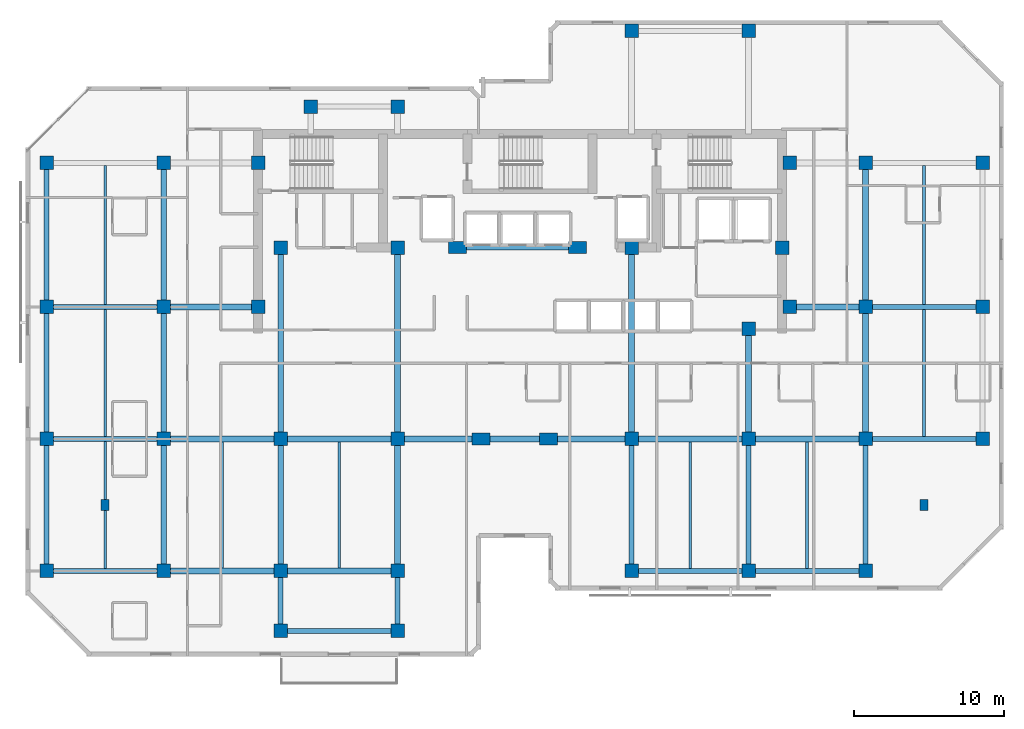
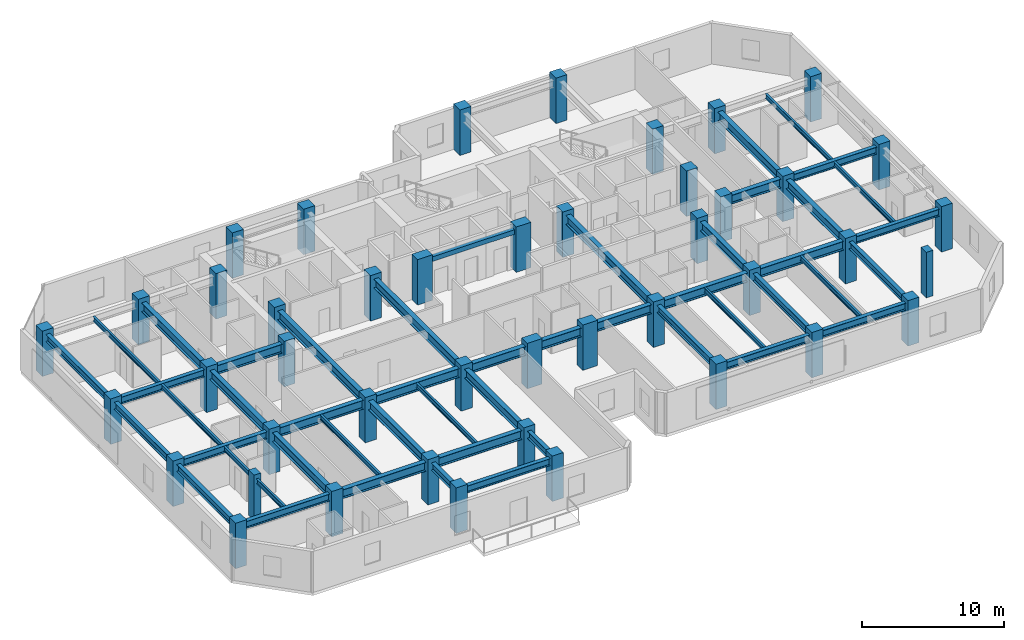
# One storey, part 1 of 10: 48 beams, 44 columns.
"""IFC4 building model written with IfcOpenShell, lengths in metres."""

from ifc_helpers import new_model, si_unit, direction, frame, origin, origin_2d, place, context, subcontext, project, spatial, rectangle, i_section, extrude, material, material_profile, profile_set, type_object, element, save


model = new_model("IFC4")

# Units and contexts
model_context = context("Model", 3, precision=1e-05, world=origin(), true_north=direction((0.0, 1.0)))
body_context = subcontext(model_context, "Body", "Model", "MODEL_VIEW")
ifc_project = project(units=[si_unit("LENGTHUNIT", "METRE"), si_unit("AREAUNIT", "SQUARE_METRE"), si_unit("VOLUMEUNIT", "CUBIC_METRE"), si_unit("PLANEANGLEUNIT", "RADIAN"), si_unit("MASSUNIT", "GRAM", prefix="KILO")], contexts=[model_context])

# Site, building, storey
site_placement = place(None, origin())
site = spatial("IfcSite", under=ifc_project, at=site_placement, CompositionType="ELEMENT")
building_placement = place(site_placement, origin())
building = spatial("IfcBuilding", under=site, at=building_placement, Name="Kestravale Grand Hotel", CompositionType="ELEMENT")
storey_placement = place(building_placement, frame((0.0, 0.0, 236.5)))
storey = spatial("IfcBuildingStorey", under=building, at=storey_placement, Name="L59", CompositionType="ELEMENT", Elevation=236.5)

# Columns
ifc_material_1 = material(Name="Concrete f'c 60 MPa", Category="concrete")
ifc_material_profile_1 = material_profile(ifc_material_1, rectangle(XDim=1.199951171875, YDim=0.800048828125, at=origin_2d()))
ifc_profile_set_1 = profile_set([ifc_material_profile_1], Name="Concrete f'c 60 MPa")
column_type_1 = type_object("IfcColumnType", Name="C-Z3-1200X800", PredefinedType="COLUMN", material=ifc_profile_set_1)
for number, where, z_axis, x_axis, name in (
    (1, (36.75, 20.0, 0.0), (0.0, 0.0, 1.0), (1.0, 0.0, 0.0), "L59 column 6-D"),
    (2, (41.25, 20.0, 0.0), (0.0, 0.0, 1.0), (1.0, 0.0, 0.0), "L59 column 7-D"),
    (3, (35.199951171875, 32.75, 0.0), (0.0, 0.0, 1.0), (1.0, 0.0, 0.0), "L59 column 6C-CS"),
    (4, (43.199951171875, 32.75, 0.0), (0.0, 0.0, 1.0), (1.0, 0.0, 0.0), "L59 column 7C-CS"),
):
    element("IfcColumn", number, at=place(storey_placement, frame(where, z_axis=z_axis, x_axis=x_axis)), inside=storey, type_object=column_type_1, Name=name, PredefinedType="COLUMN", context=body_context, shape_type="SweptSolid", body=[
        extrude(rectangle(XDim=1.199951171875, YDim=0.800048828125, at=origin_2d()), origin(), (0.0, 0.0, 1.0), 3.89990234375),
    ])
ifc_material_2 = material(Name="Precast concrete f'c 45 MPa", Category="concrete")
ifc_material_profile_2 = material_profile(ifc_material_2, rectangle(XDim=0.550048828125, YDim=0.75, at=origin_2d()))
ifc_profile_set_2 = profile_set([ifc_material_profile_2], Name="Precast concrete f'c 45 MPa")
column_type_2 = type_object("IfcColumnType", Name="C-Z3-PIL750", PredefinedType="PILASTER", material=ifc_profile_set_2)
for number, where, z_axis, x_axis, name in (
    (5, (11.699951171875, 15.60009765625, 0.0), (0.0, 0.0, 1.0), (1.0, 0.0, 0.0), "L59 Art Deco fluted pilaster P1"),
    (6, (66.300048828125, 15.60009765625, 0.0), (0.0, 0.0, 1.0), (1.0, 0.0, 0.0), "L59 Art Deco fluted pilaster P2"),
):
    element("IfcColumn", number, at=place(storey_placement, frame(where, z_axis=z_axis, x_axis=x_axis)), inside=storey, type_object=column_type_2, Name=name, PredefinedType="PILASTER", context=body_context, shape_type="SweptSolid", body=[
        extrude(rectangle(XDim=0.550048828125, YDim=0.75, at=origin_2d()), origin(), (0.0, 0.0, 1.0), 3.89990234375),
    ])
ifc_material_3 = material(Name="Concrete f'c 50 MPa", Category="concrete")
ifc_material_profile_3 = material_profile(ifc_material_3, rectangle(XDim=0.89990234375, YDim=0.89990234375, at=origin_2d()))
ifc_profile_set_3 = profile_set([ifc_material_profile_3], Name="Concrete f'c 50 MPa")
column_type_3 = type_object("IfcColumnType", Name="C-Z4-900", PredefinedType="COLUMN", material=ifc_profile_set_3)
for number, where, z_axis, x_axis, name in (
    (7, (7.800048828125, 11.199951171875, 0.0), (0.0, 0.0, 1.0), (1.0, 0.0, 0.0), "L59 column 2-C"),
    (8, (7.800048828125, 20.0, 0.0), (0.0, 0.0, 1.0), (1.0, 0.0, 0.0), "L59 column 2-D"),
    (9, (7.800048828125, 28.800048828125, 0.0), (0.0, 0.0, 1.0), (1.0, 0.0, 0.0), "L59 column 2-E"),
    (10, (7.800048828125, 38.39990234375, 0.0), (0.0, 0.0, 1.0), (1.0, 0.0, 0.0), "L59 column 2-F"),
    (11, (15.60009765625, 11.199951171875, 0.0), (0.0, 0.0, 1.0), (1.0, 0.0, 0.0), "L59 column 3-C"),
    (12, (15.60009765625, 20.0, 0.0), (0.0, 0.0, 1.0), (1.0, 0.0, 0.0), "L59 column 3-D"),
    (13, (15.60009765625, 28.800048828125, 0.0), (0.0, 0.0, 1.0), (1.0, 0.0, 0.0), "L59 column 3-E"),
    (14, (15.60009765625, 38.39990234375, 0.0), (0.0, 0.0, 1.0), (1.0, 0.0, 0.0), "L59 column 3-F"),
    (15, (23.39990234375, 11.199951171875, 0.0), (0.0, 0.0, 1.0), (1.0, 0.0, 0.0), "L59 column 4-C"),
    (16, (23.39990234375, 20.0, 0.0), (0.0, 0.0, 1.0), (1.0, 0.0, 0.0), "L59 column 4-D"),
    (17, (31.199951171875, 11.199951171875, 0.0), (0.0, 0.0, 1.0), (1.0, 0.0, 0.0), "L59 column 5-C"),
    (18, (31.199951171875, 20.0, 0.0), (0.0, 0.0, 1.0), (1.0, 0.0, 0.0), "L59 column 5-D"),
    (19, (46.800048828125, 11.199951171875, 0.0), (0.0, 0.0, 1.0), (1.0, 0.0, 0.0), "L59 column 8-C"),
    (20, (46.800048828125, 20.0, 0.0), (0.0, 0.0, 1.0), (1.0, 0.0, 0.0), "L59 column 8-D"),
    (21, (46.800048828125, 47.199951171875, 0.0), (0.0, 0.0, 1.0), (1.0, 0.0, 0.0), "L59 column 8-G"),
    (22, (54.60009765625, 11.199951171875, 0.0), (0.0, 0.0, 1.0), (1.0, 0.0, 0.0), "L59 column 9-C"),
    (23, (54.60009765625, 20.0, 0.0), (0.0, 0.0, 1.0), (1.0, 0.0, 0.0), "L59 column 9-D"),
    (24, (54.60009765625, 47.199951171875, 0.0), (0.0, 0.0, 1.0), (1.0, 0.0, 0.0), "L59 column 9-G"),
    (25, (62.39990234375, 11.199951171875, 0.0), (0.0, 0.0, 1.0), (1.0, 0.0, 0.0), "L59 column 10-C"),
    (26, (62.39990234375, 20.0, 0.0), (0.0, 0.0, 1.0), (1.0, 0.0, 0.0), "L59 column 10-D"),
    (27, (62.39990234375, 28.800048828125, 0.0), (0.0, 0.0, 1.0), (1.0, 0.0, 0.0), "L59 column 10-E"),
    (28, (62.39990234375, 38.39990234375, 0.0), (0.0, 0.0, 1.0), (1.0, 0.0, 0.0), "L59 column 10-F"),
    (29, (70.199951171875, 20.0, 0.0), (0.0, 0.0, 1.0), (1.0, 0.0, 0.0), "L59 column 11-D"),
    (30, (70.199951171875, 28.800048828125, 0.0), (0.0, 0.0, 1.0), (1.0, 0.0, 0.0), "L59 column 11-E"),
    (31, (70.199951171875, 38.39990234375, 0.0), (0.0, 0.0, 1.0), (1.0, 0.0, 0.0), "L59 column 11-F"),
    (32, (21.89990234375, 28.800048828125, 0.0), (0.0, 0.0, 1.0), (1.0, 0.0, 0.0), "L59 column CW-E"),
    (33, (21.89990234375, 38.39990234375, 0.0), (0.0, 0.0, 1.0), (1.0, 0.0, 0.0), "L59 column CW-F"),
    (34, (57.35009765625, 28.800048828125, 0.0), (0.0, 0.0, 1.0), (1.0, 0.0, 0.0), "L59 column CE-E"),
    (35, (57.35009765625, 38.39990234375, 0.0), (0.0, 0.0, 1.0), (1.0, 0.0, 0.0), "L59 column CE-F"),
    (36, (23.39990234375, 32.75, 0.0), (0.0, 0.0, 1.0), (1.0, 0.0, 0.0), "L59 column 4-CS"),
    (37, (31.199951171875, 32.75, 0.0), (0.0, 0.0, 1.0), (1.0, 0.0, 0.0), "L59 column 5-CS"),
    (38, (46.800048828125, 32.75, 0.0), (0.0, 0.0, 1.0), (1.0, 0.0, 0.0), "L59 column 8-CS"),
    (39, (54.60009765625, 27.35009765625, 0.0), (0.0, 0.0, 1.0), (1.0, 0.0, 0.0), "L59 column 9-CS"),
    (40, (56.85009765625, 32.75, 0.0), (0.0, 0.0, 1.0), (1.0, 0.0, 0.0), "L59 column 9C-CS"),
    (41, (23.39990234375, 7.199951171875, 0.0), (0.0, 0.0, 1.0), (1.0, 0.0, 0.0), "L59 column 4-BS"),
    (42, (31.199951171875, 7.199951171875, 0.0), (0.0, 0.0, 1.0), (1.0, 0.0, 0.0), "L59 column 5-BS"),
    (43, (25.39990234375, 42.14990234375, 0.0), (0.0, 0.0, 1.0), (1.0, 0.0, 0.0), "L59 column 4-FN"),
    (44, (31.199951171875, 42.14990234375, 0.0), (0.0, 0.0, 1.0), (1.0, 0.0, 0.0), "L59 column 5-FN"),
):
    element("IfcColumn", number, at=place(storey_placement, frame(where, z_axis=z_axis, x_axis=x_axis)), inside=storey, type_object=column_type_3, Name=name, PredefinedType="COLUMN", context=body_context, shape_type="SweptSolid", body=[
        extrude(rectangle(XDim=0.89990234375, YDim=0.89990234375, at=origin_2d()), origin(), (0.0, 0.0, 1.0), 3.89990234375),
    ])

# Beams
ifc_material_4 = material(Name="Steel ASTM A992 Grade 50", Category="steel")
ifc_material_profile_4 = material_profile(ifc_material_4, i_section(OverallWidth=0.177978515625, OverallDepth=0.404052734375, WebThickness=0.007568359375, FlangeThickness=0.010986328125, FilletRadius=0.01416015625, at=origin_2d()))
ifc_profile_set_4 = profile_set([ifc_material_profile_4], Name="Steel ASTM A992 Grade 50")
beam_type_1 = type_object("IfcBeamType", Name="B-FLR-JST16", PredefinedType="JOIST", material=ifc_profile_set_4)
for number, where, z_axis, x_axis, name in (
    (45, (11.699951171875, 11.362548828125, 3.318115234375), (0.0, 1.0, 0.0), (-1.0, 0.0, 0.0), "L59 floor joist 2-3/C-D #1"),
    (46, (11.699951171875, 20.16259765625, 3.318115234375), (0.0, 1.0, 0.0), (-1.0, 0.0, 0.0), "L59 floor joist 2-3/D-E #1"),
):
    element("IfcBeam", number, at=place(storey_placement, frame(where, z_axis=z_axis, x_axis=x_axis)), inside=storey, type_object=beam_type_1, Name=name, PredefinedType="JOIST", context=body_context, shape_type="SweptSolid", body=[
        extrude(i_section(OverallWidth=0.177978515625, OverallDepth=0.404052734375, WebThickness=0.007568359375, FlangeThickness=0.010986328125, FilletRadius=0.01416015625, at=origin_2d()), origin(), (0.0, 0.0, 1.0), 8.474853515625),
    ])
beam_1_placement = place(storey_placement, frame((11.699951171875, 28.96240234375, 3.318115234375), z_axis=(0.0, 1.0, 0.0), x_axis=(-1.0, 0.0, 0.0)))
element("IfcBeam", 47, at=beam_1_placement, inside=storey, type_object=beam_type_1, Name="L59 floor joist 2-3/E-F #1", PredefinedType="JOIST", context=body_context, shape_type="SweptSolid", body=[
    extrude(i_section(OverallWidth=0.177978515625, OverallDepth=0.404052734375, WebThickness=0.007568359375, FlangeThickness=0.010986328125, FilletRadius=0.01416015625, at=origin_2d()), origin(), (0.0, 0.0, 1.0), 9.275146484375),
])
for number, where, z_axis, x_axis, name in (
    (48, (19.5, 11.390380859375, 3.318115234375), (0.0, 1.0, 0.0), (-1.0, 0.0, 0.0), "L59 floor joist 3-4/C-D #1"),
    (49, (27.300048828125, 11.390380859375, 3.318115234375), (0.0, 1.0, 0.0), (-1.0, 0.0, 0.0), "L59 floor joist 4-5/C-D #1"),
):
    element("IfcBeam", number, at=place(storey_placement, frame(where, z_axis=z_axis, x_axis=x_axis)), inside=storey, type_object=beam_type_1, Name=name, PredefinedType="JOIST", context=body_context, shape_type="SweptSolid", body=[
        extrude(i_section(OverallWidth=0.177978515625, OverallDepth=0.404052734375, WebThickness=0.007568359375, FlangeThickness=0.010986328125, FilletRadius=0.01416015625, at=origin_2d()), origin(), (0.0, 0.0, 1.0), 8.419189453125),
    ])
for number, where, z_axis, x_axis, name in (
    (50, (50.699951171875, 11.362548828125, 3.318115234375), (0.0, 1.0, 0.0), (-1.0, 0.0, 0.0), "L59 floor joist 8-9/C-D #1"),
    (51, (58.5, 11.362548828125, 3.318115234375), (0.0, 1.0, 0.0), (-1.0, 0.0, 0.0), "L59 floor joist 9-10/C-D #1"),
):
    element("IfcBeam", number, at=place(storey_placement, frame(where, z_axis=z_axis, x_axis=x_axis)), inside=storey, type_object=beam_type_1, Name=name, PredefinedType="JOIST", context=body_context, shape_type="SweptSolid", body=[
        extrude(i_section(OverallWidth=0.177978515625, OverallDepth=0.404052734375, WebThickness=0.007568359375, FlangeThickness=0.010986328125, FilletRadius=0.01416015625, at=origin_2d()), origin(), (0.0, 0.0, 1.0), 8.447021484375),
    ])
beam_2_placement = place(storey_placement, frame((66.300048828125, 20.16259765625, 3.318115234375), z_axis=(0.0, 1.0, 0.0), x_axis=(-1.0, 0.0, 0.0)))
element("IfcBeam", 52, at=beam_2_placement, inside=storey, type_object=beam_type_1, Name="L59 floor joist 10-11/D-E #1", PredefinedType="JOIST", context=body_context, shape_type="SweptSolid", body=[
    extrude(i_section(OverallWidth=0.177978515625, OverallDepth=0.404052734375, WebThickness=0.007568359375, FlangeThickness=0.010986328125, FilletRadius=0.01416015625, at=origin_2d()), origin(), (0.0, 0.0, 1.0), 8.474853515625),
])
beam_3_placement = place(storey_placement, frame((66.300048828125, 28.96240234375, 3.318115234375), z_axis=(0.0, 1.0, 0.0), x_axis=(-1.0, 0.0, 0.0)))
element("IfcBeam", 53, at=beam_3_placement, inside=storey, type_object=beam_type_1, Name="L59 floor joist 10-11/E-F #1", PredefinedType="JOIST", context=body_context, shape_type="SweptSolid", body=[
    extrude(i_section(OverallWidth=0.177978515625, OverallDepth=0.404052734375, WebThickness=0.007568359375, FlangeThickness=0.010986328125, FilletRadius=0.01416015625, at=origin_2d()), origin(), (0.0, 0.0, 1.0), 9.275146484375),
])
ifc_material_5 = material(Name="Concrete f'c 45 MPa", Category="concrete")
ifc_material_profile_5 = material_profile(ifc_material_5, rectangle(XDim=0.300048828125, YDim=0.39990234375, at=origin_2d()))
ifc_profile_set_5 = profile_set([ifc_material_profile_5], Name="Concrete f'c 45 MPa")
beam_type_2 = type_object("IfcBeamType", Name="B-FLR-LNT400", PredefinedType="LINTEL", material=ifc_profile_set_5)
beam_4_placement = place(storey_placement, frame((35.199951171875, 32.75, 3.320068359375), z_axis=(1.0, 0.0, 0.0), x_axis=(0.0, 1.0, 0.0)))
element("IfcBeam", 54, at=beam_4_placement, inside=storey, type_object=beam_type_2, Name="L59 core portal header lintel", PredefinedType="LINTEL", context=body_context, shape_type="SweptSolid", body=[
    extrude(rectangle(XDim=0.300048828125, YDim=0.39990234375, at=origin_2d()), origin(), (0.0, 0.0, 1.0), 8.0),
])
ifc_material_6 = material(Name="Steel ASTM A992 Grade 50", Category="steel")
ifc_material_profile_6 = material_profile(ifc_material_6, i_section(OverallWidth=0.324951171875, OverallDepth=0.612060546875, WebThickness=0.0126953125, FlangeThickness=0.01904296875, FilletRadius=0.018798828125, at=origin_2d()))
ifc_profile_set_6 = profile_set([ifc_material_profile_6], Name="Steel ASTM A992 Grade 50")
beam_type_3 = type_object("IfcBeamType", Name="B-FLR-W24A", PredefinedType="SPANDREL", material=ifc_profile_set_6)
for number, where, z_axis, x_axis, name in (
    (55, (7.800048828125, 11.199951171875, 3.214111328125), (1.0, 0.0, 0.0), (0.0, 1.0, 0.0), "L59 spandrel C:2-3"),
    (56, (46.800048828125, 11.199951171875, 3.214111328125), (1.0, 0.0, 0.0), (0.0, 1.0, 0.0), "L59 spandrel C:8-9"),
):
    element("IfcBeam", number, at=place(storey_placement, frame(where, z_axis=z_axis, x_axis=x_axis)), inside=storey, type_object=beam_type_3, Name=name, PredefinedType="SPANDREL", context=body_context, shape_type="SweptSolid", body=[
        extrude(i_section(OverallWidth=0.324951171875, OverallDepth=0.612060546875, WebThickness=0.0126953125, FlangeThickness=0.01904296875, FilletRadius=0.018798828125, at=origin_2d()), origin(), (0.0, 0.0, 1.0), 7.800048828125),
    ])
beam_5_placement = place(storey_placement, frame((54.60009765625, 11.199951171875, 3.214111328125), z_axis=(1.0, 0.0, 0.0), x_axis=(0.0, 1.0, 0.0)))
element("IfcBeam", 57, at=beam_5_placement, inside=storey, type_object=beam_type_3, Name="L59 spandrel C:9-10", PredefinedType="SPANDREL", context=body_context, shape_type="SweptSolid", body=[
    extrude(i_section(OverallWidth=0.324951171875, OverallDepth=0.612060546875, WebThickness=0.0126953125, FlangeThickness=0.01904296875, FilletRadius=0.018798828125, at=origin_2d()), origin(), (0.0, 0.0, 1.0), 7.7998046875),
])
for number, where, z_axis, x_axis, name in (
    (58, (7.800048828125, 20.0, 3.214111328125), (1.0, 0.0, 0.0), (0.0, 1.0, 0.0), "L59 spandrel D:2-3"),
    (59, (62.39990234375, 20.0, 3.214111328125), (1.0, 0.0, 0.0), (0.0, 1.0, 0.0), "L59 spandrel D:10-11"),
    (60, (7.800048828125, 28.800048828125, 3.214111328125), (1.0, 0.0, 0.0), (0.0, 1.0, 0.0), "L59 spandrel E:2-3"),
    (61, (62.39990234375, 28.800048828125, 3.214111328125), (1.0, 0.0, 0.0), (0.0, 1.0, 0.0), "L59 spandrel E:10-11"),
    (62, (23.39990234375, 7.199951171875, 3.214111328125), (1.0, 0.0, 0.0), (0.0, 1.0, 0.0), "L59 perimeter tie spandrel BS:4-5"),
):
    element("IfcBeam", number, at=place(storey_placement, frame(where, z_axis=z_axis, x_axis=x_axis)), inside=storey, type_object=beam_type_3, Name=name, PredefinedType="SPANDREL", context=body_context, shape_type="SweptSolid", body=[
        extrude(i_section(OverallWidth=0.324951171875, OverallDepth=0.612060546875, WebThickness=0.0126953125, FlangeThickness=0.01904296875, FilletRadius=0.018798828125, at=origin_2d()), origin(), (0.0, 0.0, 1.0), 7.800048828125),
    ])
for number, where, z_axis, x_axis, name in (
    (63, (7.800048828125, 11.199951171875, 3.214111328125), (0.0, 1.0, 0.0), (-1.0, 0.0, 0.0), "L59 spandrel 2:C-D"),
    (64, (7.800048828125, 20.0, 3.214111328125), (0.0, 1.0, 0.0), (-1.0, 0.0, 0.0), "L59 spandrel 2:D-E"),
):
    element("IfcBeam", number, at=place(storey_placement, frame(where, z_axis=z_axis, x_axis=x_axis)), inside=storey, type_object=beam_type_3, Name=name, PredefinedType="SPANDREL", context=body_context, shape_type="SweptSolid", body=[
        extrude(i_section(OverallWidth=0.324951171875, OverallDepth=0.612060546875, WebThickness=0.0126953125, FlangeThickness=0.01904296875, FilletRadius=0.018798828125, at=origin_2d()), origin(), (0.0, 0.0, 1.0), 8.800048828125),
    ])
beam_6_placement = place(storey_placement, frame((7.800048828125, 28.800048828125, 3.214111328125), z_axis=(0.0, 1.0, 0.0), x_axis=(-1.0, 0.0, 0.0)))
element("IfcBeam", 65, at=beam_6_placement, inside=storey, type_object=beam_type_3, Name="L59 spandrel 2:E-F", PredefinedType="SPANDREL", context=body_context, shape_type="SweptSolid", body=[
    extrude(i_section(OverallWidth=0.324951171875, OverallDepth=0.612060546875, WebThickness=0.0126953125, FlangeThickness=0.01904296875, FilletRadius=0.018798828125, at=origin_2d()), origin(), (0.0, 0.0, 1.0), 9.599853515625),
])
for number, where, z_axis, x_axis, name in (
    (66, (23.39990234375, 7.199951171875, 3.214111328125), (0.0, 1.0, 0.0), (-1.0, 0.0, 0.0), "L59 spandrel 4:BS-C"),
    (67, (31.199951171875, 7.199951171875, 3.214111328125), (0.0, 1.0, 0.0), (-1.0, 0.0, 0.0), "L59 spandrel 5:BS-C"),
):
    element("IfcBeam", number, at=place(storey_placement, frame(where, z_axis=z_axis, x_axis=x_axis)), inside=storey, type_object=beam_type_3, Name=name, PredefinedType="SPANDREL", context=body_context, shape_type="SweptSolid", body=[
        extrude(i_section(OverallWidth=0.324951171875, OverallDepth=0.612060546875, WebThickness=0.0126953125, FlangeThickness=0.01904296875, FilletRadius=0.018798828125, at=origin_2d()), origin(), (0.0, 0.0, 1.0), 4.0),
    ])
for number, where, z_axis, x_axis, name in (
    (68, (46.800048828125, 11.199951171875, 3.214111328125), (0.0, 1.0, 0.0), (-1.0, 0.0, 0.0), "L59 spandrel 8:C-D"),
    (69, (54.60009765625, 11.199951171875, 3.214111328125), (0.0, 1.0, 0.0), (-1.0, 0.0, 0.0), "L59 spandrel 9:C-D"),
    (70, (62.39990234375, 11.199951171875, 3.214111328125), (0.0, 1.0, 0.0), (-1.0, 0.0, 0.0), "L59 spandrel 10:C-D"),
):
    element("IfcBeam", number, at=place(storey_placement, frame(where, z_axis=z_axis, x_axis=x_axis)), inside=storey, type_object=beam_type_3, Name=name, PredefinedType="SPANDREL", context=body_context, shape_type="SweptSolid", body=[
        extrude(i_section(OverallWidth=0.324951171875, OverallDepth=0.612060546875, WebThickness=0.0126953125, FlangeThickness=0.01904296875, FilletRadius=0.018798828125, at=origin_2d()), origin(), (0.0, 0.0, 1.0), 8.800048828125),
    ])
ifc_material_7 = material(Name="Steel ASTM A992 Grade 50", Category="steel")
ifc_material_profile_7 = material_profile(ifc_material_7, i_section(OverallWidth=0.381103515625, OverallDepth=0.77197265625, WebThickness=0.0166015625, FlangeThickness=0.027099609375, FilletRadius=0.023681640625, at=origin_2d()))
ifc_profile_set_7 = profile_set([ifc_material_profile_7], Name="Steel ASTM A992 Grade 50")
beam_type_4 = type_object("IfcBeamType", Name="B-GRD-W30", PredefinedType="BEAM", material=ifc_profile_set_7)
beam_7_placement = place(storey_placement, frame((15.60009765625, 11.199951171875, 3.134033203125), z_axis=(1.0, 0.0, 0.0), x_axis=(0.0, 1.0, 0.0)))
element("IfcBeam", 71, at=beam_7_placement, inside=storey, type_object=beam_type_4, Name="L59 girder C:3-4", PredefinedType="BEAM", context=body_context, shape_type="SweptSolid", body=[
    extrude(i_section(OverallWidth=0.381103515625, OverallDepth=0.77197265625, WebThickness=0.0166015625, FlangeThickness=0.027099609375, FilletRadius=0.023681640625, at=origin_2d()), origin(), (0.0, 0.0, 1.0), 7.7998046875),
])
beam_8_placement = place(storey_placement, frame((23.39990234375, 11.199951171875, 3.134033203125), z_axis=(1.0, 0.0, 0.0), x_axis=(0.0, 1.0, 0.0)))
element("IfcBeam", 72, at=beam_8_placement, inside=storey, type_object=beam_type_4, Name="L59 girder C:4-5", PredefinedType="BEAM", context=body_context, shape_type="SweptSolid", body=[
    extrude(i_section(OverallWidth=0.381103515625, OverallDepth=0.77197265625, WebThickness=0.0166015625, FlangeThickness=0.027099609375, FilletRadius=0.023681640625, at=origin_2d()), origin(), (0.0, 0.0, 1.0), 7.800048828125),
])
beam_9_placement = place(storey_placement, frame((15.60009765625, 20.0, 3.134033203125), z_axis=(1.0, 0.0, 0.0), x_axis=(0.0, 1.0, 0.0)))
element("IfcBeam", 73, at=beam_9_placement, inside=storey, type_object=beam_type_4, Name="L59 girder D:3-4", PredefinedType="BEAM", context=body_context, shape_type="SweptSolid", body=[
    extrude(i_section(OverallWidth=0.381103515625, OverallDepth=0.77197265625, WebThickness=0.0166015625, FlangeThickness=0.027099609375, FilletRadius=0.023681640625, at=origin_2d()), origin(), (0.0, 0.0, 1.0), 7.7998046875),
])
beam_10_placement = place(storey_placement, frame((23.39990234375, 20.0, 3.134033203125), z_axis=(1.0, 0.0, 0.0), x_axis=(0.0, 1.0, 0.0)))
element("IfcBeam", 74, at=beam_10_placement, inside=storey, type_object=beam_type_4, Name="L59 girder D:4-5", PredefinedType="BEAM", context=body_context, shape_type="SweptSolid", body=[
    extrude(i_section(OverallWidth=0.381103515625, OverallDepth=0.77197265625, WebThickness=0.0166015625, FlangeThickness=0.027099609375, FilletRadius=0.023681640625, at=origin_2d()), origin(), (0.0, 0.0, 1.0), 7.800048828125),
])
beam_11_placement = place(storey_placement, frame((31.199951171875, 20.0, 3.134033203125), z_axis=(1.0, 0.0, 0.0), x_axis=(0.0, 1.0, 0.0)))
element("IfcBeam", 75, at=beam_11_placement, inside=storey, type_object=beam_type_4, Name="L59 girder D:5-6", PredefinedType="BEAM", context=body_context, shape_type="SweptSolid", body=[
    extrude(i_section(OverallWidth=0.381103515625, OverallDepth=0.77197265625, WebThickness=0.0166015625, FlangeThickness=0.027099609375, FilletRadius=0.023681640625, at=origin_2d()), origin(), (0.0, 0.0, 1.0), 5.550048828125),
])
beam_12_placement = place(storey_placement, frame((36.75, 20.0, 3.134033203125), z_axis=(1.0, 0.0, 0.0), x_axis=(0.0, 1.0, 0.0)))
element("IfcBeam", 76, at=beam_12_placement, inside=storey, type_object=beam_type_4, Name="L59 girder D:6-7", PredefinedType="BEAM", context=body_context, shape_type="SweptSolid", body=[
    extrude(i_section(OverallWidth=0.381103515625, OverallDepth=0.77197265625, WebThickness=0.0166015625, FlangeThickness=0.027099609375, FilletRadius=0.023681640625, at=origin_2d()), origin(), (0.0, 0.0, 1.0), 4.5),
])
beam_13_placement = place(storey_placement, frame((41.25, 20.0, 3.134033203125), z_axis=(1.0, 0.0, 0.0), x_axis=(0.0, 1.0, 0.0)))
element("IfcBeam", 77, at=beam_13_placement, inside=storey, type_object=beam_type_4, Name="L59 girder D:7-8", PredefinedType="BEAM", context=body_context, shape_type="SweptSolid", body=[
    extrude(i_section(OverallWidth=0.381103515625, OverallDepth=0.77197265625, WebThickness=0.0166015625, FlangeThickness=0.027099609375, FilletRadius=0.023681640625, at=origin_2d()), origin(), (0.0, 0.0, 1.0), 5.550048828125),
])
beam_14_placement = place(storey_placement, frame((46.800048828125, 20.0, 3.134033203125), z_axis=(1.0, 0.0, 0.0), x_axis=(0.0, 1.0, 0.0)))
element("IfcBeam", 78, at=beam_14_placement, inside=storey, type_object=beam_type_4, Name="L59 girder D:8-9", PredefinedType="BEAM", context=body_context, shape_type="SweptSolid", body=[
    extrude(i_section(OverallWidth=0.381103515625, OverallDepth=0.77197265625, WebThickness=0.0166015625, FlangeThickness=0.027099609375, FilletRadius=0.023681640625, at=origin_2d()), origin(), (0.0, 0.0, 1.0), 7.800048828125),
])
beam_15_placement = place(storey_placement, frame((54.60009765625, 20.0, 3.134033203125), z_axis=(1.0, 0.0, 0.0), x_axis=(0.0, 1.0, 0.0)))
element("IfcBeam", 79, at=beam_15_placement, inside=storey, type_object=beam_type_4, Name="L59 girder D:9-10", PredefinedType="BEAM", context=body_context, shape_type="SweptSolid", body=[
    extrude(i_section(OverallWidth=0.381103515625, OverallDepth=0.77197265625, WebThickness=0.0166015625, FlangeThickness=0.027099609375, FilletRadius=0.023681640625, at=origin_2d()), origin(), (0.0, 0.0, 1.0), 7.7998046875),
])
beam_16_placement = place(storey_placement, frame((15.60009765625, 28.800048828125, 3.134033203125), z_axis=(1.0, 0.0, 0.0), x_axis=(0.0, 1.0, 0.0)))
element("IfcBeam", 80, at=beam_16_placement, inside=storey, type_object=beam_type_4, Name="L59 girder E:3-CW", PredefinedType="BEAM", context=body_context, shape_type="SweptSolid", body=[
    extrude(i_section(OverallWidth=0.381103515625, OverallDepth=0.77197265625, WebThickness=0.0166015625, FlangeThickness=0.027099609375, FilletRadius=0.023681640625, at=origin_2d()), origin(), (0.0, 0.0, 1.0), 6.2998046875),
])
beam_17_placement = place(storey_placement, frame((57.35009765625, 28.800048828125, 3.134033203125), z_axis=(1.0, 0.0, 0.0), x_axis=(0.0, 1.0, 0.0)))
element("IfcBeam", 81, at=beam_17_placement, inside=storey, type_object=beam_type_4, Name="L59 girder E:CE-10", PredefinedType="BEAM", context=body_context, shape_type="SweptSolid", body=[
    extrude(i_section(OverallWidth=0.381103515625, OverallDepth=0.77197265625, WebThickness=0.0166015625, FlangeThickness=0.027099609375, FilletRadius=0.023681640625, at=origin_2d()), origin(), (0.0, 0.0, 1.0), 5.0498046875),
])
for number, where, z_axis, x_axis, name in (
    (82, (15.60009765625, 11.199951171875, 3.134033203125), (0.0, 1.0, 0.0), (-1.0, 0.0, 0.0), "L59 girder 3:C-D"),
    (83, (15.60009765625, 20.0, 3.134033203125), (0.0, 1.0, 0.0), (-1.0, 0.0, 0.0), "L59 girder 3:D-E"),
):
    element("IfcBeam", number, at=place(storey_placement, frame(where, z_axis=z_axis, x_axis=x_axis)), inside=storey, type_object=beam_type_4, Name=name, PredefinedType="BEAM", context=body_context, shape_type="SweptSolid", body=[
        extrude(i_section(OverallWidth=0.381103515625, OverallDepth=0.77197265625, WebThickness=0.0166015625, FlangeThickness=0.027099609375, FilletRadius=0.023681640625, at=origin_2d()), origin(), (0.0, 0.0, 1.0), 8.800048828125),
    ])
beam_18_placement = place(storey_placement, frame((15.60009765625, 28.800048828125, 3.134033203125), z_axis=(0.0, 1.0, 0.0), x_axis=(-1.0, 0.0, 0.0)))
element("IfcBeam", 84, at=beam_18_placement, inside=storey, type_object=beam_type_4, Name="L59 girder 3:E-F", PredefinedType="BEAM", context=body_context, shape_type="SweptSolid", body=[
    extrude(i_section(OverallWidth=0.381103515625, OverallDepth=0.77197265625, WebThickness=0.0166015625, FlangeThickness=0.027099609375, FilletRadius=0.023681640625, at=origin_2d()), origin(), (0.0, 0.0, 1.0), 9.599853515625),
])
beam_19_placement = place(storey_placement, frame((23.39990234375, 11.199951171875, 3.134033203125), z_axis=(0.0, 1.0, 0.0), x_axis=(-1.0, 0.0, 0.0)))
element("IfcBeam", 85, at=beam_19_placement, inside=storey, type_object=beam_type_4, Name="L59 girder 4:C-D", PredefinedType="BEAM", context=body_context, shape_type="SweptSolid", body=[
    extrude(i_section(OverallWidth=0.381103515625, OverallDepth=0.77197265625, WebThickness=0.0166015625, FlangeThickness=0.027099609375, FilletRadius=0.023681640625, at=origin_2d()), origin(), (0.0, 0.0, 1.0), 8.800048828125),
])
beam_20_placement = place(storey_placement, frame((23.39990234375, 20.0, 3.134033203125), z_axis=(0.0, 1.0, 0.0), x_axis=(-1.0, 0.0, 0.0)))
element("IfcBeam", 86, at=beam_20_placement, inside=storey, type_object=beam_type_4, Name="L59 girder 4:D-CS", PredefinedType="BEAM", context=body_context, shape_type="SweptSolid", body=[
    extrude(i_section(OverallWidth=0.381103515625, OverallDepth=0.77197265625, WebThickness=0.0166015625, FlangeThickness=0.027099609375, FilletRadius=0.023681640625, at=origin_2d()), origin(), (0.0, 0.0, 1.0), 12.75),
])
beam_21_placement = place(storey_placement, frame((31.199951171875, 11.199951171875, 3.134033203125), z_axis=(0.0, 1.0, 0.0), x_axis=(-1.0, 0.0, 0.0)))
element("IfcBeam", 87, at=beam_21_placement, inside=storey, type_object=beam_type_4, Name="L59 girder 5:C-D", PredefinedType="BEAM", context=body_context, shape_type="SweptSolid", body=[
    extrude(i_section(OverallWidth=0.381103515625, OverallDepth=0.77197265625, WebThickness=0.0166015625, FlangeThickness=0.027099609375, FilletRadius=0.023681640625, at=origin_2d()), origin(), (0.0, 0.0, 1.0), 8.800048828125),
])
for number, where, z_axis, x_axis, name in (
    (88, (31.199951171875, 20.0, 3.134033203125), (0.0, 1.0, 0.0), (-1.0, 0.0, 0.0), "L59 girder 5:D-CS"),
    (89, (46.800048828125, 20.0, 3.134033203125), (0.0, 1.0, 0.0), (-1.0, 0.0, 0.0), "L59 girder 8:D-CS"),
):
    element("IfcBeam", number, at=place(storey_placement, frame(where, z_axis=z_axis, x_axis=x_axis)), inside=storey, type_object=beam_type_4, Name=name, PredefinedType="BEAM", context=body_context, shape_type="SweptSolid", body=[
        extrude(i_section(OverallWidth=0.381103515625, OverallDepth=0.77197265625, WebThickness=0.0166015625, FlangeThickness=0.027099609375, FilletRadius=0.023681640625, at=origin_2d()), origin(), (0.0, 0.0, 1.0), 12.75),
    ])
beam_22_placement = place(storey_placement, frame((54.60009765625, 20.0, 3.134033203125), z_axis=(0.0, 1.0, 0.0), x_axis=(-1.0, 0.0, 0.0)))
element("IfcBeam", 90, at=beam_22_placement, inside=storey, type_object=beam_type_4, Name="L59 girder 9:D-CS", PredefinedType="BEAM", context=body_context, shape_type="SweptSolid", body=[
    extrude(i_section(OverallWidth=0.381103515625, OverallDepth=0.77197265625, WebThickness=0.0166015625, FlangeThickness=0.027099609375, FilletRadius=0.023681640625, at=origin_2d()), origin(), (0.0, 0.0, 1.0), 7.35009765625),
])
beam_23_placement = place(storey_placement, frame((62.39990234375, 20.0, 3.134033203125), z_axis=(0.0, 1.0, 0.0), x_axis=(-1.0, 0.0, 0.0)))
element("IfcBeam", 91, at=beam_23_placement, inside=storey, type_object=beam_type_4, Name="L59 girder 10:D-E", PredefinedType="BEAM", context=body_context, shape_type="SweptSolid", body=[
    extrude(i_section(OverallWidth=0.381103515625, OverallDepth=0.77197265625, WebThickness=0.0166015625, FlangeThickness=0.027099609375, FilletRadius=0.023681640625, at=origin_2d()), origin(), (0.0, 0.0, 1.0), 8.800048828125),
])
beam_24_placement = place(storey_placement, frame((62.39990234375, 28.800048828125, 3.134033203125), z_axis=(0.0, 1.0, 0.0), x_axis=(-1.0, 0.0, 0.0)))
element("IfcBeam", 92, at=beam_24_placement, inside=storey, type_object=beam_type_4, Name="L59 girder 10:E-F", PredefinedType="BEAM", context=body_context, shape_type="SweptSolid", body=[
    extrude(i_section(OverallWidth=0.381103515625, OverallDepth=0.77197265625, WebThickness=0.0166015625, FlangeThickness=0.027099609375, FilletRadius=0.023681640625, at=origin_2d()), origin(), (0.0, 0.0, 1.0), 9.599853515625),
])

save(model, "model.ifc")
